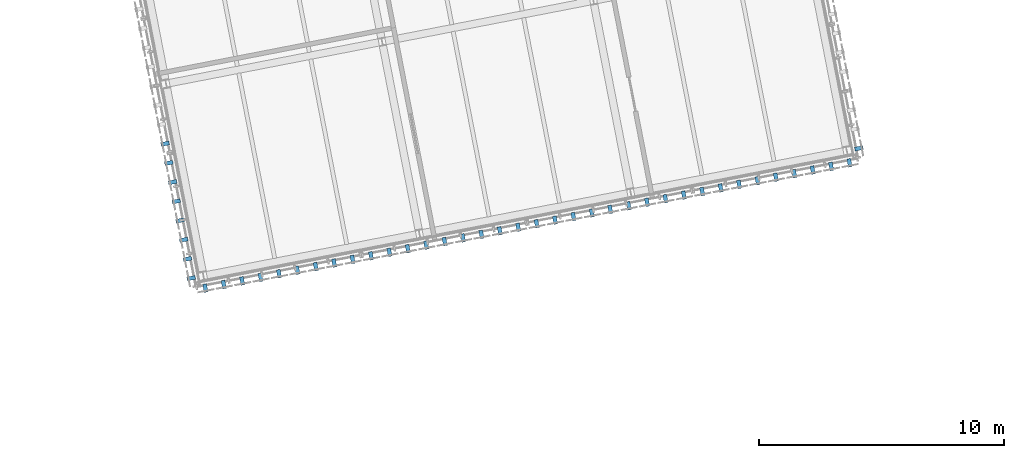
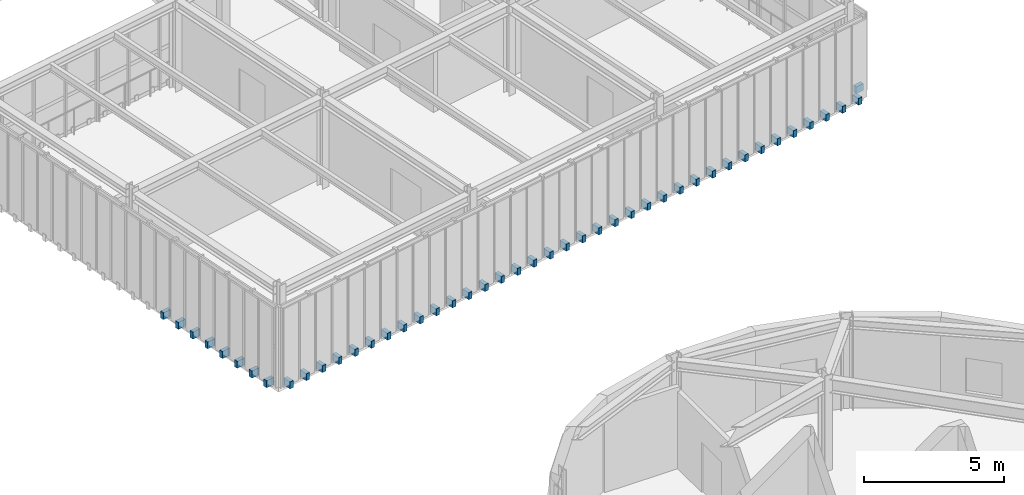
# One storey, part 41 of 59: 45 discrete accessories.
"""IFC4 building model written with IfcOpenShell, lengths in metres."""

from ifc_helpers import new_model, si_unit, direction, frame, origin, origin_2d, place, context, subcontext, project, spatial, rectangle, extrude, material, type_object, element, save


model = new_model("IFC4")

# Units and contexts
model_context = context("Model", 3, precision=1e-05, world=origin(), true_north=direction((0.0, 1.0)))
body_context = subcontext(model_context, "Body", "Model", "MODEL_VIEW")
ifc_project = project(units=[si_unit("LENGTHUNIT", "METRE"), si_unit("AREAUNIT", "SQUARE_METRE"), si_unit("VOLUMEUNIT", "CUBIC_METRE"), si_unit("PLANEANGLEUNIT", "RADIAN"), si_unit("MASSUNIT", "GRAM", prefix="KILO")], contexts=[model_context])

# Site, building, storey
site_placement = place(None, origin())
site = spatial("IfcSite", under=ifc_project, at=site_placement, CompositionType="ELEMENT")
building_placement = place(site_placement, origin())
building = spatial("IfcBuilding", under=site, at=building_placement, Name="Varnklinge Art Gallery", CompositionType="ELEMENT")
storey_placement = place(building_placement, frame((0.0, 0.0, 9.52001953125)))
storey = spatial("IfcBuildingStorey", under=building, at=storey_placement, Name="L02", CompositionType="ELEMENT", Elevation=9.52001953125)

# Discrete accessories
ifc_material = material(Name="Steel S355", Category="steel")
discrete_accessory_type = type_object("IfcDiscreteAccessoryType", Name="BRK-01", PredefinedType="BRACKET", material=ifc_material)
for number, where, z_axis, x_axis, name in (
    (1, (63.95361328125, 61.58642578125, -0.06982421875), (0.0, 0.0, 1.0), (0.981627183448, 0.190808995377, 0.0), "L02 Lattice Outrigger Bracket 1.1.1"),
    (2, (64.706298828125, 61.732666015625, -0.06982421875), (0.0, 0.0, 1.0), (0.981627183448, 0.190808995377, 0.0), "L02 Lattice Outrigger Bracket 1.1.2"),
    (3, (65.458740234375, 61.87890625, -0.06982421875), (0.0, 0.0, 1.0), (0.981627183448, 0.190808995377, 0.0), "L02 Lattice Outrigger Bracket 1.1.3"),
    (4, (66.211181640625, 62.025146484375, -0.06982421875), (0.0, 0.0, 1.0), (0.981627183448, 0.190808995377, 0.0), "L02 Lattice Outrigger Bracket 1.1.4"),
    (5, (66.9638671875, 62.17138671875, -0.06982421875), (0.0, 0.0, 1.0), (0.981627183448, 0.190808995377, 0.0), "L02 Lattice Outrigger Bracket 1.1.5"),
    (6, (67.716552734375, 62.31787109375, -0.06982421875), (0.0, 0.0, 1.0), (0.981627183448, 0.190808995377, 0.0), "L02 Lattice Outrigger Bracket 1.1.6"),
    (7, (68.468994140625, 62.464111328125, -0.06982421875), (0.0, 0.0, 1.0), (0.981627183448, 0.190808995377, 0.0), "L02 Lattice Outrigger Bracket 1.1.7"),
    (8, (69.2216796875, 62.6103515625, -0.06982421875), (0.0, 0.0, 1.0), (0.981627183448, 0.190808995377, 0.0), "L02 Lattice Outrigger Bracket 1.1.8"),
    (9, (69.97412109375, 62.756591796875, -0.06982421875), (0.0, 0.0, 1.0), (0.981627183448, 0.190808995377, 0.0), "L02 Lattice Outrigger Bracket 1.1.9"),
    (10, (70.726806640625, 62.90283203125, -0.06982421875), (0.0, 0.0, 1.0), (0.981627183448, 0.190808995377, 0.0), "L02 Lattice Outrigger Bracket 1.2.1"),
    (11, (71.4794921875, 63.04931640625, -0.06982421875), (0.0, 0.0, 1.0), (0.981627183448, 0.190808995377, 0.0), "L02 Lattice Outrigger Bracket 1.2.2"),
    (12, (72.23193359375, 63.195556640625, -0.06982421875), (0.0, 0.0, 1.0), (0.981627183448, 0.190808995377, 0.0), "L02 Lattice Outrigger Bracket 1.2.3"),
    (13, (72.984619140625, 63.341796875, -0.06982421875), (0.0, 0.0, 1.0), (0.981627183448, 0.190808995377, 0.0), "L02 Lattice Outrigger Bracket 1.2.4"),
    (14, (73.7373046875, 63.488037109375, -0.06982421875), (0.0, 0.0, 1.0), (0.981627183448, 0.190808995377, 0.0), "L02 Lattice Outrigger Bracket 1.2.5"),
    (15, (74.48974609375, 63.634521484375, -0.06982421875), (0.0, 0.0, 1.0), (0.981627183448, 0.190808995377, 0.0), "L02 Lattice Outrigger Bracket 1.2.6"),
    (16, (75.2421875, 63.78076171875, -0.06982421875), (0.0, 0.0, 1.0), (0.981627183448, 0.190808995377, 0.0), "L02 Lattice Outrigger Bracket 1.2.7"),
    (17, (75.994873046875, 63.927001953125, -0.06982421875), (0.0, 0.0, 1.0), (0.981627183448, 0.190808995377, 0.0), "L02 Lattice Outrigger Bracket 1.2.8"),
    (18, (76.74755859375, 64.0732421875, -0.06982421875), (0.0, 0.0, 1.0), (0.981627183448, 0.190808995377, 0.0), "L02 Lattice Outrigger Bracket 1.2.9"),
    (19, (77.5, 64.219482421875, -0.06982421875), (0.0, 0.0, 1.0), (0.981627183448, 0.190808995377, 0.0), "L02 Lattice Outrigger Bracket 1.3.1"),
    (20, (78.252685546875, 64.36572265625, -0.06982421875), (0.0, 0.0, 1.0), (0.981627183448, 0.190808995377, 0.0), "L02 Lattice Outrigger Bracket 1.3.2"),
    (21, (79.005126953125, 64.51220703125, -0.06982421875), (0.0, 0.0, 1.0), (0.981627183448, 0.190808995377, 0.0), "L02 Lattice Outrigger Bracket 1.3.3"),
    (22, (79.7578125, 64.658447265625, -0.06982421875), (0.0, 0.0, 1.0), (0.981627183448, 0.190808995377, 0.0), "L02 Lattice Outrigger Bracket 1.3.4"),
    (23, (80.510498046875, 64.8046875, -0.06982421875), (0.0, 0.0, 1.0), (0.981627183448, 0.190808995377, 0.0), "L02 Lattice Outrigger Bracket 1.3.5"),
    (24, (81.262939453125, 64.950927734375, -0.06982421875), (0.0, 0.0, 1.0), (0.981627183448, 0.190808995377, 0.0), "L02 Lattice Outrigger Bracket 1.3.6"),
    (25, (82.015625, 65.09716796875, -0.06982421875), (0.0, 0.0, 1.0), (0.981627183448, 0.190808995377, 0.0), "L02 Lattice Outrigger Bracket 1.3.7"),
    (26, (82.768310546875, 65.243408203125, -0.06982421875), (0.0, 0.0, 1.0), (0.981627183448, 0.190808995377, 0.0), "L02 Lattice Outrigger Bracket 1.3.8"),
    (27, (83.520751953125, 65.389892578125, -0.06982421875), (0.0, 0.0, 1.0), (0.981627183448, 0.190808995377, 0.0), "L02 Lattice Outrigger Bracket 1.3.9"),
    (28, (84.273193359375, 65.5361328125, -0.06982421875), (0.0, 0.0, 1.0), (0.981627183448, 0.190808995377, 0.0), "L02 Lattice Outrigger Bracket 1.4.1"),
    (29, (85.02587890625, 65.682373046875, -0.06982421875), (0.0, 0.0, 1.0), (0.981627183448, 0.190808995377, 0.0), "L02 Lattice Outrigger Bracket 1.4.2"),
    (30, (85.778564453125, 65.82861328125, -0.06982421875), (0.0, 0.0, 1.0), (0.981627183448, 0.190808995377, 0.0), "L02 Lattice Outrigger Bracket 1.4.3"),
    (31, (86.531005859375, 65.974853515625, -0.06982421875), (0.0, 0.0, 1.0), (0.981627183448, 0.190808995377, 0.0), "L02 Lattice Outrigger Bracket 1.4.4"),
    (32, (87.28369140625, 66.12109375, -0.06982421875), (0.0, 0.0, 1.0), (0.981627183448, 0.190808995377, 0.0), "L02 Lattice Outrigger Bracket 1.4.5"),
    (33, (88.0361328125, 66.267578125, -0.06982421875), (0.0, 0.0, 1.0), (0.981627183448, 0.190808995377, 0.0), "L02 Lattice Outrigger Bracket 1.4.6"),
    (34, (88.788818359375, 66.413818359375, -0.06982421875), (0.0, 0.0, 1.0), (0.981627183448, 0.190808995377, 0.0), "L02 Lattice Outrigger Bracket 1.4.7"),
    (35, (89.54150390625, 66.56005859375, -0.06982421875), (0.0, 0.0, 1.0), (0.981627183448, 0.190808995377, 0.0), "L02 Lattice Outrigger Bracket 1.4.8"),
    (36, (90.2939453125, 66.706298828125, -0.06982421875), (0.0, 0.0, 1.0), (0.981627183448, 0.190808995377, 0.0), "L02 Lattice Outrigger Bracket 1.4.9"),
    (37, (90.680908203125, 67.301025390625, -0.06982421875), (0.0, 0.0, 1.0), (-0.190808995377, 0.981627183448, 0.0), "L02 Lattice Outrigger Bracket 2.1.1"),
    (38, (62.303466796875, 67.489990234375, -0.06982421875), (0.0, 0.0, 1.0), (0.190808995377, -0.981627183448, 0.0), "L02 Lattice Outrigger Bracket 4.2.7"),
    (39, (62.4560546875, 66.70458984375, -0.06982421875), (0.0, 0.0, 1.0), (0.190808995377, -0.981627183448, 0.0), "L02 Lattice Outrigger Bracket 4.3.1"),
    (40, (62.60888671875, 65.91943359375, -0.06982421875), (0.0, 0.0, 1.0), (0.190808995377, -0.981627183448, 0.0), "L02 Lattice Outrigger Bracket 4.3.2"),
    (41, (62.761474609375, 65.134033203125, -0.06982421875), (0.0, 0.0, 1.0), (0.190808995377, -0.981627183448, 0.0), "L02 Lattice Outrigger Bracket 4.3.3"),
    (42, (62.9140625, 64.348876953125, -0.06982421875), (0.0, 0.0, 1.0), (0.190808995377, -0.981627183448, 0.0), "L02 Lattice Outrigger Bracket 4.3.4"),
    (43, (63.066650390625, 63.5634765625, -0.06982421875), (0.0, 0.0, 1.0), (0.190808995377, -0.981627183448, 0.0), "L02 Lattice Outrigger Bracket 4.3.5"),
    (44, (63.21923828125, 62.7783203125, -0.06982421875), (0.0, 0.0, 1.0), (0.190808995377, -0.981627183448, 0.0), "L02 Lattice Outrigger Bracket 4.3.6"),
    (45, (63.3720703125, 61.992919921875, -0.06982421875), (0.0, 0.0, 1.0), (0.190808995377, -0.981627183448, 0.0), "L02 Lattice Outrigger Bracket 4.3.7"),
):
    element("IfcDiscreteAccessory", number, at=place(storey_placement, frame(where, z_axis=z_axis, x_axis=x_axis)), inside=storey, type_object=discrete_accessory_type, Name=name, PredefinedType="BRACKET", context=body_context, shape_type="SweptSolid", body=[
        extrude(rectangle(XDim=0.159912109375, YDim=0.340087890625, at=origin_2d()), origin(), (0.0, 0.0, 1.0), 0.300048828125),
    ])

save(model, "model.ifc")
